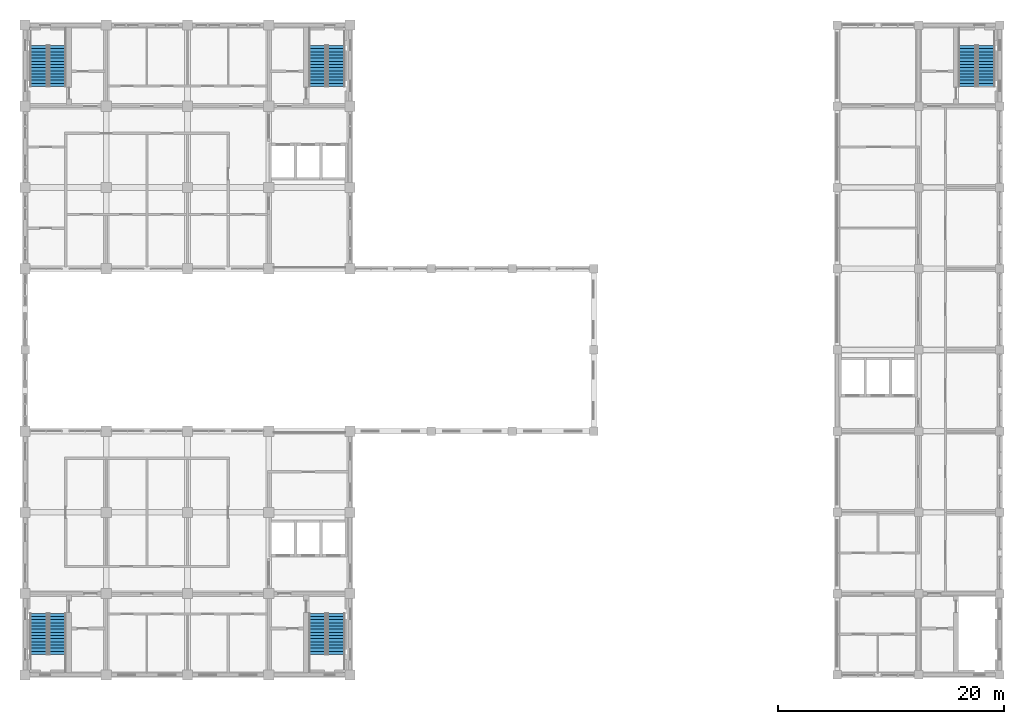
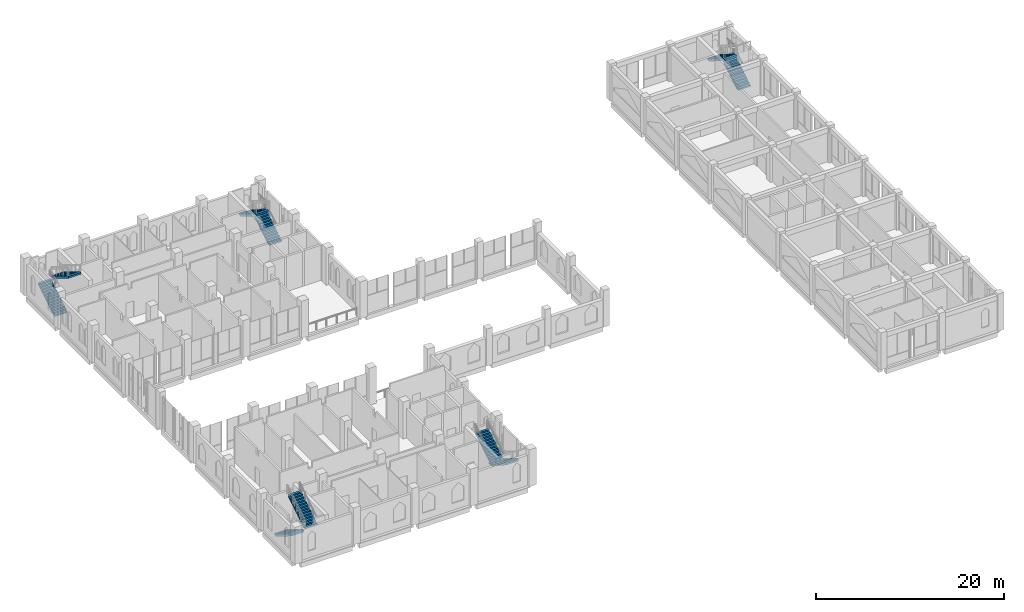
# One storey, part 36 of 39: 10 stair flights, 5 elements without a shape of their own.
"""IFC4 building model written with IfcOpenShell, lengths in metres."""

from ifc_helpers import new_model, si_unit, direction, frame, origin, place, context, subcontext, project, spatial, polyline, outline, extrude, material, type_object, element, aggregate, save


model = new_model("IFC4")

# Units and contexts
model_context = context("Model", 3, precision=1e-05, world=origin(), true_north=direction((0.0, 1.0)))
body_context = subcontext(model_context, "Body", "Model", "MODEL_VIEW")
ifc_project = project(units=[si_unit("LENGTHUNIT", "METRE"), si_unit("AREAUNIT", "SQUARE_METRE"), si_unit("VOLUMEUNIT", "CUBIC_METRE"), si_unit("PLANEANGLEUNIT", "RADIAN"), si_unit("MASSUNIT", "GRAM", prefix="KILO")], contexts=[model_context])

# Site, building, storey
site_placement = place(None, origin())
site = spatial("IfcSite", under=ifc_project, at=site_placement, CompositionType="ELEMENT")
building_placement = place(site_placement, origin())
building = spatial("IfcBuilding", under=site, at=building_placement, Name="Silangan Lancet Faculty of Sciences", CompositionType="ELEMENT")
storey_placement = place(building_placement, frame((0.0, 0.0, 26.39990234375)))
storey = spatial("IfcBuildingStorey", under=building, at=storey_placement, Name="L05", CompositionType="ELEMENT", Elevation=26.39990234375)

# Stair, stair flights
ifc_material_1 = material(Name="Concrete C40/50", Category="concrete")
stair_type = type_object("IfcStairType", Name="TURRET STAIR 1550 TWO-FLIGHT", PredefinedType="HALF_TURN_STAIR", material=ifc_material_1)
stair_1_placement = place(storey_placement, origin())
stair_1 = element("IfcStair", 1, at=stair_1_placement, inside=storey, type_object=stair_type, Name="EB-B stair L05", PredefinedType="HALF_TURN_STAIR")
ifc_material_2 = material(Name="Concrete C40/50", Category="concrete")
stair_flight_type = type_object("IfcStairFlightType", Name="TURRET STAIR FLIGHT 1550", PredefinedType="STRAIGHT", material=ifc_material_2)
stair_flight_1_placement = place(storey_placement, frame((85.199951171875, 52.14990234375, 0.0), z_axis=(0.0, 0.0, 1.0), x_axis=(0.0, 1.0, 0.0)))
stair_flight_1 = element("IfcStairFlight", 2, at=stair_flight_1_placement, type_object=stair_flight_type, Name="STR10 flight 1", NumberOfRisers=14, NumberOfTreads=13, PredefinedType="STRAIGHT", RiserHeight=0.171428571, TreadLength=0.28, context=body_context, shape_type="SweptSolid", body=[
    extrude(outline(polyline([(0.0, 0.0), (0.0, 0.17138671875), (0.280029296875, 0.17138671875), (0.280029296875, 0.3427734375), (0.56005859375, 0.3427734375), (0.56005859375, 0.514404296875), (0.840087890625, 0.514404296875), (0.840087890625, 0.685791015625), (1.1201171875, 0.685791015625), (1.1201171875, 0.857177734375), (1.39990234375, 0.857177734375), (1.39990234375, 1.028564453125), (1.679931640625, 1.028564453125), (1.679931640625, 1.199951171875), (1.9599609375, 1.199951171875), (1.9599609375, 1.371337890625), (2.239990234375, 1.371337890625), (2.239990234375, 1.54296875), (2.52001953125, 1.54296875), (2.52001953125, 1.71435546875), (2.800048828125, 1.71435546875), (2.800048828125, 1.8857421875), (3.080078125, 1.8857421875), (3.080078125, 2.05712890625), (3.360107421875, 2.05712890625), (3.360107421875, 2.228515625), (3.639892578125, 2.228515625), (3.639892578125, 2.39990234375), (3.639892578125, 1.994140625), (0.383056640625, 0.0), (0.0, 0.0)])), frame((0.0, 0.77490234375, 0.0), z_axis=(0.0, -1.0, 0.0), x_axis=(1.0, 0.0, 0.0)), (0.0, 0.0, 1.0), 1.550048828125),
])
stair_flight_2_placement = place(storey_placement, frame((83.52490234375, 55.7900390625, 2.400146484375), z_axis=(0.0, 0.0, 1.0), x_axis=(0.0, -1.0, 0.0)))
stair_flight_2 = element("IfcStairFlight", 3, at=stair_flight_2_placement, type_object=stair_flight_type, Name="STR10 flight 2", NumberOfRisers=14, NumberOfTreads=13, PredefinedType="STRAIGHT", RiserHeight=0.171428571, TreadLength=0.28, context=body_context, shape_type="SweptSolid", body=[
    extrude(outline(polyline([(0.0, 0.0), (0.0, 0.17138671875), (0.280029296875, 0.17138671875), (0.280029296875, 0.3427734375), (0.56005859375, 0.3427734375), (0.56005859375, 0.514404296875), (0.840087890625, 0.514404296875), (0.840087890625, 0.685791015625), (1.1201171875, 0.685791015625), (1.1201171875, 0.857177734375), (1.39990234375, 0.857177734375), (1.39990234375, 1.028564453125), (1.679931640625, 1.028564453125), (1.679931640625, 1.199951171875), (1.9599609375, 1.199951171875), (1.9599609375, 1.371337890625), (2.239990234375, 1.371337890625), (2.239990234375, 1.54296875), (2.52001953125, 1.54296875), (2.52001953125, 1.71435546875), (2.800048828125, 1.71435546875), (2.800048828125, 1.8857421875), (3.080078125, 1.8857421875), (3.080078125, 2.05712890625), (3.360107421875, 2.05712890625), (3.360107421875, 2.228515625), (3.639892578125, 2.228515625), (3.639892578125, 2.39990234375), (3.639892578125, 1.994140625), (0.383056640625, 0.0), (0.0, 0.0)])), frame((0.0, 0.77490234375, 0.0), z_axis=(0.0, -1.0, 0.0), x_axis=(1.0, 0.0, 0.0)), (0.0, 0.0, 1.0), 1.550048828125),
])
aggregate(stair_1, [stair_flight_1, stair_flight_2])

stair_2_placement = place(storey_placement, origin())
stair_2 = element("IfcStair", 4, at=stair_2_placement, inside=storey, type_object=stair_type, Name="NT-A stair L05", PredefinedType="HALF_TURN_STAIR")
stair_flight_3_placement = place(storey_placement, frame((1.22509765625, 52.14990234375, 0.0), z_axis=(0.0, 0.0, 1.0), x_axis=(0.0, 1.0, 0.0)))
stair_flight_3 = element("IfcStairFlight", 5, at=stair_flight_3_placement, type_object=stair_flight_type, Name="STR3 flight 1", NumberOfRisers=14, NumberOfTreads=13, PredefinedType="STRAIGHT", RiserHeight=0.171428571, TreadLength=0.28, context=body_context, shape_type="SweptSolid", body=[
    extrude(outline(polyline([(0.0, 0.0), (0.0, 0.17138671875), (0.280029296875, 0.17138671875), (0.280029296875, 0.3427734375), (0.56005859375, 0.3427734375), (0.56005859375, 0.514404296875), (0.840087890625, 0.514404296875), (0.840087890625, 0.685791015625), (1.1201171875, 0.685791015625), (1.1201171875, 0.857177734375), (1.39990234375, 0.857177734375), (1.39990234375, 1.028564453125), (1.679931640625, 1.028564453125), (1.679931640625, 1.199951171875), (1.9599609375, 1.199951171875), (1.9599609375, 1.371337890625), (2.239990234375, 1.371337890625), (2.239990234375, 1.54296875), (2.52001953125, 1.54296875), (2.52001953125, 1.71435546875), (2.800048828125, 1.71435546875), (2.800048828125, 1.8857421875), (3.080078125, 1.8857421875), (3.080078125, 2.05712890625), (3.360107421875, 2.05712890625), (3.360107421875, 2.228515625), (3.639892578125, 2.228515625), (3.639892578125, 2.39990234375), (3.639892578125, 1.994140625), (0.383056640625, 0.0), (0.0, 0.0)])), frame((0.0, 0.77490234375, 0.0), z_axis=(0.0, -1.0, 0.0), x_axis=(1.0, 0.0, 0.0)), (0.0, 0.0, 1.0), 1.550048828125),
])
stair_flight_4_placement = place(storey_placement, frame((2.875, 55.7900390625, 2.400146484375), z_axis=(0.0, 0.0, 1.0), x_axis=(0.0, -1.0, 0.0)))
stair_flight_4 = element("IfcStairFlight", 6, at=stair_flight_4_placement, type_object=stair_flight_type, Name="STR3 flight 2", NumberOfRisers=14, NumberOfTreads=13, PredefinedType="STRAIGHT", RiserHeight=0.171428571, TreadLength=0.28, context=body_context, shape_type="SweptSolid", body=[
    extrude(outline(polyline([(0.0, 0.0), (0.0, 0.17138671875), (0.280029296875, 0.17138671875), (0.280029296875, 0.3427734375), (0.56005859375, 0.3427734375), (0.56005859375, 0.514404296875), (0.840087890625, 0.514404296875), (0.840087890625, 0.685791015625), (1.1201171875, 0.685791015625), (1.1201171875, 0.857177734375), (1.39990234375, 0.857177734375), (1.39990234375, 1.028564453125), (1.679931640625, 1.028564453125), (1.679931640625, 1.199951171875), (1.9599609375, 1.199951171875), (1.9599609375, 1.371337890625), (2.239990234375, 1.371337890625), (2.239990234375, 1.54296875), (2.52001953125, 1.54296875), (2.52001953125, 1.71435546875), (2.800048828125, 1.71435546875), (2.800048828125, 1.8857421875), (3.080078125, 1.8857421875), (3.080078125, 2.05712890625), (3.360107421875, 2.05712890625), (3.360107421875, 2.228515625), (3.639892578125, 2.228515625), (3.639892578125, 2.39990234375), (3.639892578125, 1.994140625), (0.383056640625, 0.0), (0.0, 0.0)])), frame((0.0, 0.77490234375, 0.0), z_axis=(0.0, -1.0, 0.0), x_axis=(1.0, 0.0, 0.0)), (0.0, 0.0, 1.0), 1.550048828125),
])
aggregate(stair_2, [stair_flight_3, stair_flight_4])

stair_3_placement = place(storey_placement, origin())
stair_3 = element("IfcStair", 7, at=stair_3_placement, inside=storey, type_object=stair_type, Name="NT-B stair L05", PredefinedType="HALF_TURN_STAIR")
stair_flight_5_placement = place(storey_placement, frame((27.574951171875, 52.14990234375, 0.0), z_axis=(0.0, 0.0, 1.0), x_axis=(0.0, 1.0, 0.0)))
stair_flight_5 = element("IfcStairFlight", 8, at=stair_flight_5_placement, type_object=stair_flight_type, Name="STR4 flight 1", NumberOfRisers=14, NumberOfTreads=13, PredefinedType="STRAIGHT", RiserHeight=0.171428571, TreadLength=0.28, context=body_context, shape_type="SweptSolid", body=[
    extrude(outline(polyline([(0.0, 0.0), (0.0, 0.17138671875), (0.280029296875, 0.17138671875), (0.280029296875, 0.3427734375), (0.56005859375, 0.3427734375), (0.56005859375, 0.514404296875), (0.840087890625, 0.514404296875), (0.840087890625, 0.685791015625), (1.1201171875, 0.685791015625), (1.1201171875, 0.857177734375), (1.39990234375, 0.857177734375), (1.39990234375, 1.028564453125), (1.679931640625, 1.028564453125), (1.679931640625, 1.199951171875), (1.9599609375, 1.199951171875), (1.9599609375, 1.371337890625), (2.239990234375, 1.371337890625), (2.239990234375, 1.54296875), (2.52001953125, 1.54296875), (2.52001953125, 1.71435546875), (2.800048828125, 1.71435546875), (2.800048828125, 1.8857421875), (3.080078125, 1.8857421875), (3.080078125, 2.05712890625), (3.360107421875, 2.05712890625), (3.360107421875, 2.228515625), (3.639892578125, 2.228515625), (3.639892578125, 2.39990234375), (3.639892578125, 1.994140625), (0.383056640625, 0.0), (0.0, 0.0)])), frame((0.0, 0.77490234375, 0.0), z_axis=(0.0, -1.0, 0.0), x_axis=(1.0, 0.0, 0.0)), (0.0, 0.0, 1.0), 1.550048828125),
])
stair_flight_6_placement = place(storey_placement, frame((25.925048828125, 55.7900390625, 2.400146484375), z_axis=(0.0, 0.0, 1.0), x_axis=(0.0, -1.0, 0.0)))
stair_flight_6 = element("IfcStairFlight", 9, at=stair_flight_6_placement, type_object=stair_flight_type, Name="STR4 flight 2", NumberOfRisers=14, NumberOfTreads=13, PredefinedType="STRAIGHT", RiserHeight=0.171428571, TreadLength=0.28, context=body_context, shape_type="SweptSolid", body=[
    extrude(outline(polyline([(0.0, 0.0), (0.0, 0.17138671875), (0.280029296875, 0.17138671875), (0.280029296875, 0.3427734375), (0.56005859375, 0.3427734375), (0.56005859375, 0.514404296875), (0.840087890625, 0.514404296875), (0.840087890625, 0.685791015625), (1.1201171875, 0.685791015625), (1.1201171875, 0.857177734375), (1.39990234375, 0.857177734375), (1.39990234375, 1.028564453125), (1.679931640625, 1.028564453125), (1.679931640625, 1.199951171875), (1.9599609375, 1.199951171875), (1.9599609375, 1.371337890625), (2.239990234375, 1.371337890625), (2.239990234375, 1.54296875), (2.52001953125, 1.54296875), (2.52001953125, 1.71435546875), (2.800048828125, 1.71435546875), (2.800048828125, 1.8857421875), (3.080078125, 1.8857421875), (3.080078125, 2.05712890625), (3.360107421875, 2.05712890625), (3.360107421875, 2.228515625), (3.639892578125, 2.228515625), (3.639892578125, 2.39990234375), (3.639892578125, 1.994140625), (0.383056640625, 0.0), (0.0, 0.0)])), frame((0.0, 0.77490234375, 0.0), z_axis=(0.0, -1.0, 0.0), x_axis=(1.0, 0.0, 0.0)), (0.0, 0.0, 1.0), 1.550048828125),
])
aggregate(stair_3, [stair_flight_5, stair_flight_6])

stair_4_placement = place(storey_placement, origin())
stair_4 = element("IfcStair", 10, at=stair_4_placement, inside=storey, type_object=stair_type, Name="ST-A stair L05", PredefinedType="HALF_TURN_STAIR")
stair_flight_7_placement = place(storey_placement, frame((1.22509765625, 5.449951171875, 0.0), z_axis=(0.0, 0.0, 1.0), x_axis=(0.0, -1.0, 0.0)))
stair_flight_7 = element("IfcStairFlight", 11, at=stair_flight_7_placement, type_object=stair_flight_type, Name="STR1 flight 1", NumberOfRisers=14, NumberOfTreads=13, PredefinedType="STRAIGHT", RiserHeight=0.171428571, TreadLength=0.28, context=body_context, shape_type="SweptSolid", body=[
    extrude(outline(polyline([(0.0, 0.0), (0.0, 0.17138671875), (0.280029296875, 0.17138671875), (0.280029296875, 0.3427734375), (0.56005859375, 0.3427734375), (0.56005859375, 0.514404296875), (0.840087890625, 0.514404296875), (0.840087890625, 0.685791015625), (1.1201171875, 0.685791015625), (1.1201171875, 0.857177734375), (1.39990234375, 0.857177734375), (1.39990234375, 1.028564453125), (1.679931640625, 1.028564453125), (1.679931640625, 1.199951171875), (1.9599609375, 1.199951171875), (1.9599609375, 1.371337890625), (2.239990234375, 1.371337890625), (2.239990234375, 1.54296875), (2.52001953125, 1.54296875), (2.52001953125, 1.71435546875), (2.800048828125, 1.71435546875), (2.800048828125, 1.8857421875), (3.080078125, 1.8857421875), (3.080078125, 2.05712890625), (3.360107421875, 2.05712890625), (3.360107421875, 2.228515625), (3.639892578125, 2.228515625), (3.639892578125, 2.39990234375), (3.639892578125, 1.994140625), (0.383056640625, 0.0), (0.0, 0.0)])), frame((0.0, 0.77490234375, 0.0), z_axis=(0.0, -1.0, 0.0), x_axis=(1.0, 0.0, 0.0)), (0.0, 0.0, 1.0), 1.550048828125),
])
stair_flight_8_placement = place(storey_placement, frame((2.875, 1.81005859375, 2.400146484375), z_axis=(0.0, 0.0, 1.0), x_axis=(0.0, 1.0, 0.0)))
stair_flight_8 = element("IfcStairFlight", 12, at=stair_flight_8_placement, type_object=stair_flight_type, Name="STR1 flight 2", NumberOfRisers=14, NumberOfTreads=13, PredefinedType="STRAIGHT", RiserHeight=0.171428571, TreadLength=0.28, context=body_context, shape_type="SweptSolid", body=[
    extrude(outline(polyline([(0.0, 0.0), (0.0, 0.17138671875), (0.280029296875, 0.17138671875), (0.280029296875, 0.3427734375), (0.56005859375, 0.3427734375), (0.56005859375, 0.514404296875), (0.840087890625, 0.514404296875), (0.840087890625, 0.685791015625), (1.1201171875, 0.685791015625), (1.1201171875, 0.857177734375), (1.39990234375, 0.857177734375), (1.39990234375, 1.028564453125), (1.679931640625, 1.028564453125), (1.679931640625, 1.199951171875), (1.9599609375, 1.199951171875), (1.9599609375, 1.371337890625), (2.239990234375, 1.371337890625), (2.239990234375, 1.54296875), (2.52001953125, 1.54296875), (2.52001953125, 1.71435546875), (2.800048828125, 1.71435546875), (2.800048828125, 1.8857421875), (3.080078125, 1.8857421875), (3.080078125, 2.05712890625), (3.360107421875, 2.05712890625), (3.360107421875, 2.228515625), (3.639892578125, 2.228515625), (3.639892578125, 2.39990234375), (3.639892578125, 1.994140625), (0.383056640625, 0.0), (0.0, 0.0)])), frame((0.0, 0.77490234375, 0.0), z_axis=(0.0, -1.0, 0.0), x_axis=(1.0, 0.0, 0.0)), (0.0, 0.0, 1.0), 1.550048828125),
])
aggregate(stair_4, [stair_flight_7, stair_flight_8])

stair_5_placement = place(storey_placement, origin())
stair_5 = element("IfcStair", 13, at=stair_5_placement, inside=storey, type_object=stair_type, Name="ST-B stair L05", PredefinedType="HALF_TURN_STAIR")
stair_flight_9_placement = place(storey_placement, frame((27.574951171875, 5.449951171875, 0.0), z_axis=(0.0, 0.0, 1.0), x_axis=(0.0, -1.0, 0.0)))
stair_flight_9 = element("IfcStairFlight", 14, at=stair_flight_9_placement, type_object=stair_flight_type, Name="STR2 flight 1", NumberOfRisers=14, NumberOfTreads=13, PredefinedType="STRAIGHT", RiserHeight=0.171428571, TreadLength=0.28, context=body_context, shape_type="SweptSolid", body=[
    extrude(outline(polyline([(0.0, 0.0), (0.0, 0.17138671875), (0.280029296875, 0.17138671875), (0.280029296875, 0.3427734375), (0.56005859375, 0.3427734375), (0.56005859375, 0.514404296875), (0.840087890625, 0.514404296875), (0.840087890625, 0.685791015625), (1.1201171875, 0.685791015625), (1.1201171875, 0.857177734375), (1.39990234375, 0.857177734375), (1.39990234375, 1.028564453125), (1.679931640625, 1.028564453125), (1.679931640625, 1.199951171875), (1.9599609375, 1.199951171875), (1.9599609375, 1.371337890625), (2.239990234375, 1.371337890625), (2.239990234375, 1.54296875), (2.52001953125, 1.54296875), (2.52001953125, 1.71435546875), (2.800048828125, 1.71435546875), (2.800048828125, 1.8857421875), (3.080078125, 1.8857421875), (3.080078125, 2.05712890625), (3.360107421875, 2.05712890625), (3.360107421875, 2.228515625), (3.639892578125, 2.228515625), (3.639892578125, 2.39990234375), (3.639892578125, 1.994140625), (0.383056640625, 0.0), (0.0, 0.0)])), frame((0.0, 0.77490234375, 0.0), z_axis=(0.0, -1.0, 0.0), x_axis=(1.0, 0.0, 0.0)), (0.0, 0.0, 1.0), 1.550048828125),
])
stair_flight_10_placement = place(storey_placement, frame((25.925048828125, 1.81005859375, 2.400146484375), z_axis=(0.0, 0.0, 1.0), x_axis=(0.0, 1.0, 0.0)))
stair_flight_10 = element("IfcStairFlight", 15, at=stair_flight_10_placement, type_object=stair_flight_type, Name="STR2 flight 2", NumberOfRisers=14, NumberOfTreads=13, PredefinedType="STRAIGHT", RiserHeight=0.171428571, TreadLength=0.28, context=body_context, shape_type="SweptSolid", body=[
    extrude(outline(polyline([(0.0, 0.0), (0.0, 0.17138671875), (0.280029296875, 0.17138671875), (0.280029296875, 0.3427734375), (0.56005859375, 0.3427734375), (0.56005859375, 0.514404296875), (0.840087890625, 0.514404296875), (0.840087890625, 0.685791015625), (1.1201171875, 0.685791015625), (1.1201171875, 0.857177734375), (1.39990234375, 0.857177734375), (1.39990234375, 1.028564453125), (1.679931640625, 1.028564453125), (1.679931640625, 1.199951171875), (1.9599609375, 1.199951171875), (1.9599609375, 1.371337890625), (2.239990234375, 1.371337890625), (2.239990234375, 1.54296875), (2.52001953125, 1.54296875), (2.52001953125, 1.71435546875), (2.800048828125, 1.71435546875), (2.800048828125, 1.8857421875), (3.080078125, 1.8857421875), (3.080078125, 2.05712890625), (3.360107421875, 2.05712890625), (3.360107421875, 2.228515625), (3.639892578125, 2.228515625), (3.639892578125, 2.39990234375), (3.639892578125, 1.994140625), (0.383056640625, 0.0), (0.0, 0.0)])), frame((0.0, 0.77490234375, 0.0), z_axis=(0.0, -1.0, 0.0), x_axis=(1.0, 0.0, 0.0)), (0.0, 0.0, 1.0), 1.550048828125),
])
aggregate(stair_5, [stair_flight_9, stair_flight_10])

save(model, "model.ifc")
